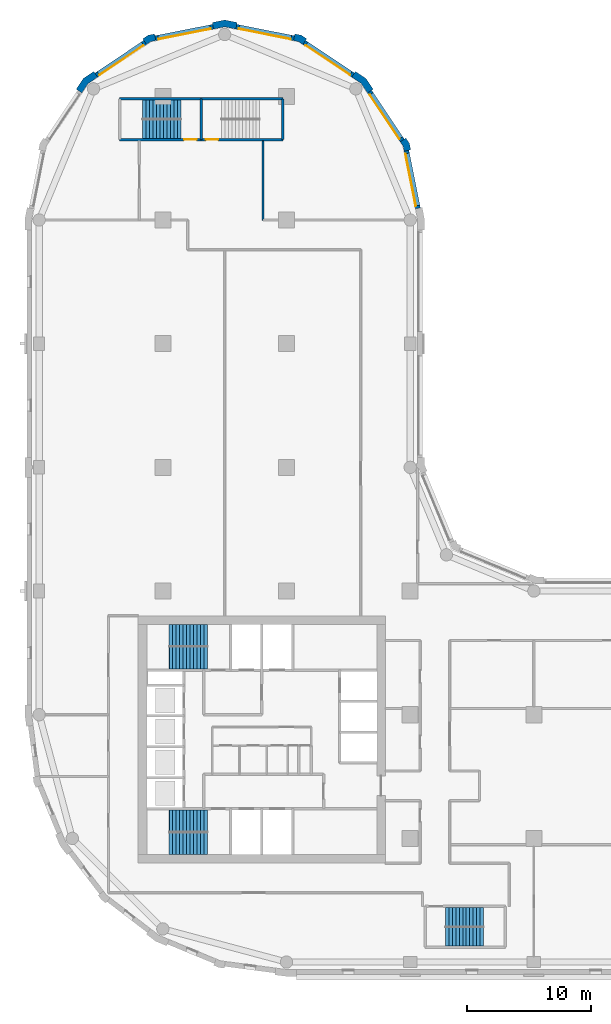
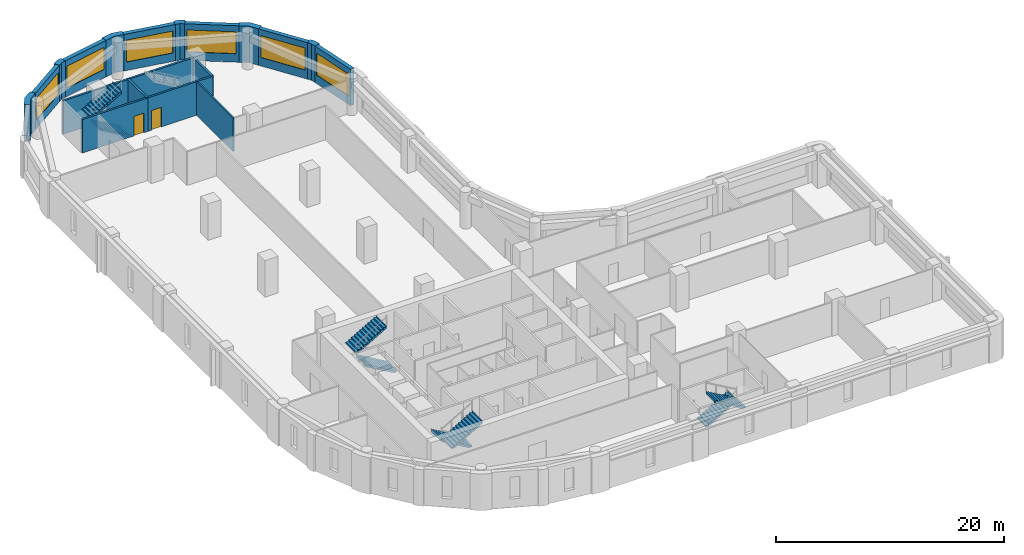
# One storey, part 6 of 9: 19 walls, 8 stair flights, 6 windows, 2 doors, 8 openings, 4 elements without a shape of their own.
"""IFC4 building model written with IfcOpenShell, lengths in metres."""

from ifc_helpers import new_model, si_unit, direction, frame, frame_2d, origin, place, context, subcontext, project, spatial, polyline, rectangle, outline, extrude, material, layer, layer_set, type_object, element, fill, aggregate, save


model = new_model("IFC4")

# Units and contexts
model_context = context("Model", 3, precision=1e-05, world=origin(), true_north=direction((0.0, 1.0)))
body_context = subcontext(model_context, "Body", "Model", "MODEL_VIEW")
ifc_project = project(units=[si_unit("LENGTHUNIT", "METRE"), si_unit("AREAUNIT", "SQUARE_METRE"), si_unit("VOLUMEUNIT", "CUBIC_METRE"), si_unit("PLANEANGLEUNIT", "RADIAN"), si_unit("MASSUNIT", "GRAM", prefix="KILO")], contexts=[model_context])

# Site, building, storey
site_placement = place(None, origin())
site = spatial("IfcSite", under=ifc_project, at=site_placement, CompositionType="ELEMENT")
building_placement = place(site_placement, origin())
building = spatial("IfcBuilding", under=site, at=building_placement, Name="Qaws Garden Tower", CompositionType="ELEMENT")
storey_placement = place(building_placement, frame((0.0, 0.0, 217.5)))
storey = spatial("IfcBuildingStorey", under=building, at=storey_placement, Name="L53", CompositionType="ELEMENT", Elevation=217.5)

# Wall, opening, window
ifc_material_1 = material(Name="Clay facing brick masonry", Category="masonry")
ifc_layer_1 = layer(ifc_material_1, 0.39990234375)
ifc_layer_set_1 = layer_set([ifc_layer_1], Name="Clay facing brick masonry")
wall_type_1 = type_object("IfcWallType", Name="Brick infill wall 400", PredefinedType="SOLIDWALL", material=ifc_layer_set_1)
wall_1_placement = place(storey_placement, frame((30.628662109375, 60.940673828125, 0.0), z_axis=(0.0, 0.0, 1.0), x_axis=(-0.195098533057, 0.98078364709, 0.0)))
wall_1 = element("IfcWall", 1, at=wall_1_placement, inside=storey, type_object=wall_type_1, Name="E-L53-infill-13", PredefinedType="SOLIDWALL", context=body_context, shape_type="SweptSolid", body=[
    extrude(rectangle(XDim=4.752685546875, YDim=0.39990234375, at=frame_2d((2.37646484375, 0.0))), origin(), (0.0, 0.0, 1.0), 3.89990234375),
])
opening_1_placement = place(wall_1_placement, frame((0.226318359375, 0.0, 0.89990234375)))
opening_1 = element("IfcOpeningElement", 2, at=opening_1_placement, cuts=wall_1, Name="Opening W06", PredefinedType="OPENING", context=body_context, shape_type="SweptSolid", body=[
    extrude(rectangle(XDim=4.300048828125, YDim=2.35009765625, at=frame_2d((2.14990234375, 1.175048828125))), frame((0.0, 0.2099609375, 0.0), z_axis=(0.0, -1.0, 0.0), x_axis=(1.0, 0.0, 0.0)), (0.0, 0.0, 1.0), 0.419921875),
])
ifc_material_2 = material(Name="Aluminium framed window, clear glazing", Category="aluminium")
window_type = type_object("IfcWindowType", Name="Ribbon window 4300 x 2350", PartitioningType="DOUBLE_PANEL_VERTICAL", PredefinedType="WINDOW", material=ifc_material_2)
window_1_placement = place(opening_1_placement, origin())
window_1 = element("IfcWindow", 3, at=window_1_placement, inside=storey, type_object=window_type, Name="E-L53-window-13-0", OverallHeight=2.35009765625, OverallWidth=4.300048828125, PartitioningType="SINGLE_PANEL", PredefinedType="WINDOW", context=body_context, shape_type="SweptSolid", body=[
    extrude(rectangle(XDim=4.300048828125, YDim=2.35009765625, at=frame_2d((2.14990234375, 1.175048828125))), frame((0.0, 0.159912109375, 0.0), z_axis=(0.0, -1.0, 0.0), x_axis=(1.0, 0.0, 0.0)), (0.0, 0.0, 1.0), 0.06005859375),
])
fill(opening_1, window_1)

wall_2_placement = place(storey_placement, frame((29.356689453125, 66.43408203125, 0.0), z_axis=(0.0, 0.0, 1.0), x_axis=(-0.555541552266, 0.831488775454, 0.0)))
wall_2 = element("IfcWall", 4, at=wall_2_placement, inside=storey, type_object=wall_type_1, Name="E-L53-infill-14", PredefinedType="SOLIDWALL", context=body_context, shape_type="SweptSolid", body=[
    extrude(rectangle(XDim=4.752685546875, YDim=0.39990234375, at=frame_2d((2.37646484375, 0.0))), origin(), (0.0, 0.0, 1.0), 3.89990234375),
])
opening_2_placement = place(wall_2_placement, frame((0.226318359375, 0.0, 0.89990234375)))
opening_2 = element("IfcOpeningElement", 5, at=opening_2_placement, cuts=wall_2, Name="Opening W06", PredefinedType="OPENING", context=body_context, shape_type="SweptSolid", body=[
    extrude(rectangle(XDim=4.300048828125, YDim=2.35009765625, at=frame_2d((2.14990234375, 1.175048828125))), frame((0.0, 0.2099609375, 0.0), z_axis=(0.0, -1.0, 0.0), x_axis=(1.0, 0.0, 0.0)), (0.0, 0.0, 1.0), 0.419921875),
])
window_2_placement = place(opening_2_placement, origin())
window_2 = element("IfcWindow", 6, at=window_2_placement, inside=storey, type_object=window_type, Name="E-L53-window-14-0", OverallHeight=2.35009765625, OverallWidth=4.300048828125, PartitioningType="SINGLE_PANEL", PredefinedType="WINDOW", context=body_context, shape_type="SweptSolid", body=[
    extrude(rectangle(XDim=4.300048828125, YDim=2.35009765625, at=frame_2d((2.14990234375, 1.175048828125))), frame((0.0, 0.159912109375, 0.0), z_axis=(0.0, -1.0, 0.0), x_axis=(1.0, 0.0, 0.0)), (0.0, 0.0, 1.0), 0.06005859375),
])
fill(opening_2, window_2)

wall_3_placement = place(storey_placement, frame((25.385986328125, 71.71630859375, 0.0), z_axis=(0.0, 0.0, 1.0), x_axis=(-0.831488775454, 0.555541552266, 0.0)))
wall_3 = element("IfcWall", 7, at=wall_3_placement, inside=storey, type_object=wall_type_1, Name="E-L53-infill-15", PredefinedType="SOLIDWALL", context=body_context, shape_type="SweptSolid", body=[
    extrude(rectangle(XDim=4.752685546875, YDim=0.39990234375, at=frame_2d((2.37646484375, 0.0))), origin(), (0.0, 0.0, 1.0), 3.89990234375),
])
opening_3_placement = place(wall_3_placement, frame((0.226318359375, 0.0, 0.89990234375)))
opening_3 = element("IfcOpeningElement", 8, at=opening_3_placement, cuts=wall_3, Name="Opening W06", PredefinedType="OPENING", context=body_context, shape_type="SweptSolid", body=[
    extrude(rectangle(XDim=4.300048828125, YDim=2.35009765625, at=frame_2d((2.14990234375, 1.175048828125))), frame((0.0, 0.2099609375, 0.0), z_axis=(0.0, -1.0, 0.0), x_axis=(1.0, 0.0, 0.0)), (0.0, 0.0, 1.0), 0.419921875),
])
window_3_placement = place(opening_3_placement, origin())
window_3 = element("IfcWindow", 9, at=window_3_placement, inside=storey, type_object=window_type, Name="E-L53-window-15-0", OverallHeight=2.35009765625, OverallWidth=4.300048828125, PartitioningType="SINGLE_PANEL", PredefinedType="WINDOW", context=body_context, shape_type="SweptSolid", body=[
    extrude(rectangle(XDim=4.300048828125, YDim=2.35009765625, at=frame_2d((2.14990234375, 1.175048828125))), frame((0.0, 0.159912109375, 0.0), z_axis=(0.0, -1.0, 0.0), x_axis=(1.0, 0.0, 0.0)), (0.0, 0.0, 1.0), 0.06005859375),
])
fill(opening_3, window_3)

wall_4_placement = place(storey_placement, frame((20.60205078125, 74.701416015625, 0.0), z_axis=(0.0, 0.0, 1.0), x_axis=(-0.98078364709, 0.195098533057, 0.0)))
wall_4 = element("IfcWall", 10, at=wall_4_placement, inside=storey, type_object=wall_type_1, Name="E-L53-infill-16", PredefinedType="SOLIDWALL", context=body_context, shape_type="SweptSolid", body=[
    extrude(rectangle(XDim=4.752685546875, YDim=0.39990234375, at=frame_2d((2.37646484375, 0.0))), origin(), (0.0, 0.0, 1.0), 3.89990234375),
])
opening_4_placement = place(wall_4_placement, frame((0.226318359375, 0.0, 0.89990234375)))
opening_4 = element("IfcOpeningElement", 11, at=opening_4_placement, cuts=wall_4, Name="Opening W06", PredefinedType="OPENING", context=body_context, shape_type="SweptSolid", body=[
    extrude(rectangle(XDim=4.300048828125, YDim=2.35009765625, at=frame_2d((2.14990234375, 1.175048828125))), frame((0.0, 0.2099609375, 0.0), z_axis=(0.0, -1.0, 0.0), x_axis=(1.0, 0.0, 0.0)), (0.0, 0.0, 1.0), 0.419921875),
])
window_4_placement = place(opening_4_placement, origin())
window_4 = element("IfcWindow", 12, at=window_4_placement, inside=storey, type_object=window_type, Name="E-L53-window-16-0", OverallHeight=2.35009765625, OverallWidth=4.300048828125, PartitioningType="SINGLE_PANEL", PredefinedType="WINDOW", context=body_context, shape_type="SweptSolid", body=[
    extrude(rectangle(XDim=4.300048828125, YDim=2.35009765625, at=frame_2d((2.14990234375, 1.175048828125))), frame((0.0, 0.159912109375, 0.0), z_axis=(0.0, -1.0, 0.0), x_axis=(1.0, 0.0, 0.0)), (0.0, 0.0, 1.0), 0.06005859375),
])
fill(opening_4, window_4)

wall_5_placement = place(storey_placement, frame((14.059326171875, 75.628662109375, 0.0), z_axis=(0.0, 0.0, 1.0), x_axis=(-0.98078364709, -0.195098533057, 0.0)))
wall_5 = element("IfcWall", 13, at=wall_5_placement, inside=storey, type_object=wall_type_1, Name="E-L53-infill-17", PredefinedType="SOLIDWALL", context=body_context, shape_type="SweptSolid", body=[
    extrude(rectangle(XDim=4.752685546875, YDim=0.39990234375, at=frame_2d((2.37646484375, 0.0))), origin(), (0.0, 0.0, 1.0), 3.89990234375),
])
opening_5_placement = place(wall_5_placement, frame((0.226318359375, 0.0, 0.89990234375)))
opening_5 = element("IfcOpeningElement", 14, at=opening_5_placement, cuts=wall_5, Name="Opening W06", PredefinedType="OPENING", context=body_context, shape_type="SweptSolid", body=[
    extrude(rectangle(XDim=4.300048828125, YDim=2.35009765625, at=frame_2d((2.14990234375, 1.175048828125))), frame((0.0, 0.2099609375, 0.0), z_axis=(0.0, -1.0, 0.0), x_axis=(1.0, 0.0, 0.0)), (0.0, 0.0, 1.0), 0.419921875),
])
window_5_placement = place(opening_5_placement, origin())
window_5 = element("IfcWindow", 15, at=window_5_placement, inside=storey, type_object=window_type, Name="E-L53-window-17-0", OverallHeight=2.35009765625, OverallWidth=4.300048828125, PartitioningType="SINGLE_PANEL", PredefinedType="WINDOW", context=body_context, shape_type="SweptSolid", body=[
    extrude(rectangle(XDim=4.300048828125, YDim=2.35009765625, at=frame_2d((2.14990234375, 1.175048828125))), frame((0.0, 0.159912109375, 0.0), z_axis=(0.0, -1.0, 0.0), x_axis=(1.0, 0.0, 0.0)), (0.0, 0.0, 1.0), 0.06005859375),
])
fill(opening_5, window_5)

wall_6_placement = place(storey_placement, frame((8.56591796875, 74.356689453125, 0.0), z_axis=(0.0, 0.0, 1.0), x_axis=(-0.831488775454, -0.555541552266, 0.0)))
wall_6 = element("IfcWall", 16, at=wall_6_placement, inside=storey, type_object=wall_type_1, Name="E-L53-infill-18", PredefinedType="SOLIDWALL", context=body_context, shape_type="SweptSolid", body=[
    extrude(rectangle(XDim=4.752685546875, YDim=0.39990234375, at=frame_2d((2.37646484375, 0.0))), origin(), (0.0, 0.0, 1.0), 3.89990234375),
])
opening_6_placement = place(wall_6_placement, frame((0.226318359375, 0.0, 0.89990234375)))
opening_6 = element("IfcOpeningElement", 17, at=opening_6_placement, cuts=wall_6, Name="Opening W06", PredefinedType="OPENING", context=body_context, shape_type="SweptSolid", body=[
    extrude(rectangle(XDim=4.300048828125, YDim=2.35009765625, at=frame_2d((2.14990234375, 1.175048828125))), frame((0.0, 0.2099609375, 0.0), z_axis=(0.0, -1.0, 0.0), x_axis=(1.0, 0.0, 0.0)), (0.0, 0.0, 1.0), 0.419921875),
])
window_6_placement = place(opening_6_placement, origin())
window_6 = element("IfcWindow", 18, at=window_6_placement, inside=storey, type_object=window_type, Name="E-L53-window-18-0", OverallHeight=2.35009765625, OverallWidth=4.300048828125, PartitioningType="SINGLE_PANEL", PredefinedType="WINDOW", context=body_context, shape_type="SweptSolid", body=[
    extrude(rectangle(XDim=4.300048828125, YDim=2.35009765625, at=frame_2d((2.14990234375, 1.175048828125))), frame((0.0, 0.159912109375, 0.0), z_axis=(0.0, -1.0, 0.0), x_axis=(1.0, 0.0, 0.0)), (0.0, 0.0, 1.0), 0.06005859375),
])
fill(opening_6, window_6)

# Walls
ifc_material_3 = material(Name="Clay facing brick masonry", Category="masonry")
ifc_layer_2 = layer(ifc_material_3, 0.550048828125)
ifc_layer_set_2 = layer_set([ifc_layer_2], Name="Clay facing brick masonry")
wall_type_2 = type_object("IfcWallType", Name="Brick kink pier 550 x 600", PredefinedType="SOLIDWALL", material=ifc_layer_set_2)
placement = place(storey_placement, origin())
element("IfcWall", 19, at=placement, inside=storey, type_object=wall_type_2, Name="E-L53-pier-14", PredefinedType="SOLIDWALL", context=body_context, shape_type="SweptSolid", body=[
    extrude(outline(polyline([(29.8974609375, 65.64111328125), (30.044677734375, 65.67041015625), (29.94140625, 66.18896484375), (29.647705078125, 66.628662109375), (29.52294921875, 66.545166015625), (29.1904296875, 66.322998046875), (29.42333984375, 65.974365234375), (29.505126953125, 65.56298828125), (29.8974609375, 65.64111328125)])), origin(), (0.0, 0.0, 1.0), 3.89990234375),
])
element("IfcWall", 20, at=placement, inside=storey, type_object=wall_type_2, Name="E-L53-pier-16", PredefinedType="SOLIDWALL", context=body_context, shape_type="SweptSolid", body=[
    extrude(outline(polyline([(21.545166015625, 74.52294921875), (21.628662109375, 74.647705078125), (21.18896484375, 74.94140625), (20.67041015625, 75.044677734375), (20.64111328125, 74.8974609375), (20.56298828125, 74.505126953125), (20.974365234375, 74.42333984375), (21.322998046875, 74.1904296875), (21.545166015625, 74.52294921875)])), origin(), (0.0, 0.0, 1.0), 3.89990234375),
])
element("IfcWall", 21, at=placement, inside=storey, type_object=wall_type_2, Name="E-L53-pier-18", PredefinedType="SOLIDWALL", context=body_context, shape_type="SweptSolid", body=[
    extrude(outline(polyline([(9.35888671875, 74.8974609375), (9.32958984375, 75.044677734375), (8.81103515625, 74.94140625), (8.371337890625, 74.647705078125), (8.454833984375, 74.52294921875), (8.677001953125, 74.1904296875), (9.025634765625, 74.42333984375), (9.43701171875, 74.505126953125), (9.35888671875, 74.8974609375)])), origin(), (0.0, 0.0, 1.0), 3.89990234375),
])
ifc_material_4 = material(Name="Clay facing brick masonry", Category="masonry")
ifc_layer_3 = layer(ifc_material_4, 0.550048828125)
ifc_layer_set_3 = layer_set([ifc_layer_3], Name="Clay facing brick masonry")
wall_type_3 = type_object("IfcWallType", Name="Brick pier 550 x 1600", PredefinedType="SOLIDWALL", material=ifc_layer_set_3)
element("IfcWall", 22, at=placement, inside=storey, type_object=wall_type_3, Name="E-L53-pier-15", PredefinedType="SOLIDWALL", context=body_context, shape_type="SweptSolid", body=[
    extrude(outline(polyline([(26.882568359375, 70.4970703125), (27.00732421875, 70.580322265625), (26.435791015625, 71.435791015625), (25.580322265625, 72.00732421875), (25.4970703125, 71.882568359375), (25.274658203125, 71.550048828125), (26.0390625, 71.0390625), (26.550048828125, 70.274658203125), (26.882568359375, 70.4970703125)])), origin(), (0.0, 0.0, 1.0), 3.89990234375),
])
element("IfcWall", 23, at=placement, inside=storey, type_object=wall_type_3, Name="E-L53-pier-17", PredefinedType="SOLIDWALL", context=body_context, shape_type="SweptSolid", body=[
    extrude(outline(polyline([(15.979736328125, 75.82470703125), (16.009033203125, 75.971923828125), (15.0, 76.172607421875), (13.990966796875, 75.971923828125), (14.020263671875, 75.82470703125), (14.098388671875, 75.432373046875), (15.0, 75.61181640625), (15.901611328125, 75.432373046875), (15.979736328125, 75.82470703125)])), origin(), (0.0, 0.0, 1.0), 3.89990234375),
])
element("IfcWall", 24, at=placement, inside=storey, type_object=wall_type_3, Name="E-L53-pier-19", PredefinedType="SOLIDWALL", context=body_context, shape_type="SweptSolid", body=[
    extrude(outline(polyline([(4.5029296875, 71.882568359375), (4.419677734375, 72.00732421875), (3.564208984375, 71.435791015625), (2.99267578125, 70.580322265625), (3.117431640625, 70.4970703125), (3.449951171875, 70.274658203125), (3.9609375, 71.0390625), (4.725341796875, 71.550048828125), (4.5029296875, 71.882568359375)])), origin(), (0.0, 0.0, 1.0), 3.89990234375),
])

# Wall, opening, door
ifc_material_5 = material(Name="Concrete C70", Category="concrete")
ifc_layer_4 = layer(ifc_material_5, 0.199951171875)
ifc_layer_set_4 = layer_set([ifc_layer_4], Name="Concrete C70")
wall_type_4 = type_object("IfcWallType", Name="Core shaft wall 200 C70", PredefinedType="SHEAR", material=ifc_layer_set_4)
wall_13_placement = place(storey_placement, frame((6.5, 66.5, 0.0), z_axis=(0.0, 0.0, 1.0), x_axis=(1.0, 0.0, 0.0)))
wall_13 = element("IfcWall", 25, at=wall_13_placement, inside=storey, type_object=wall_type_4, Name="Shaft wall", PredefinedType="SHEAR", context=body_context, shape_type="SweptSolid", body=[
    extrude(rectangle(XDim=6.60009765625, YDim=0.199951171875, at=frame_2d((3.300048828125, 0.0))), origin(), (0.0, 0.0, 1.0), 3.580078125),
])
opening_7_placement = place(wall_13_placement, frame((5.22509765625, 0.0, 0.0)))
opening_7 = element("IfcOpeningElement", 26, at=opening_7_placement, cuts=wall_13, Name="Opening SD13", PredefinedType="OPENING", context=body_context, shape_type="SweptSolid", body=[
    extrude(rectangle(XDim=1.0, YDim=2.10009765625, at=frame_2d((0.5, 1.050048828125))), frame((0.0, 0.10986328125, 0.0), z_axis=(0.0, -1.0, 0.0), x_axis=(1.0, 0.0, 0.0)), (0.0, 0.0, 1.0), 0.219970703125),
])
ifc_material_6 = material(Name="Steel S235", Category="steel")
door_type = type_object("IfcDoorType", Name="Stair door 1000x2100", OperationType="SINGLE_SWING_RIGHT", PredefinedType="DOOR", material=ifc_material_6)
door_1_placement = place(opening_7_placement, origin())
door_1 = element("IfcDoor", 27, at=door_1_placement, inside=storey, type_object=door_type, Name="Stair 6 door", OperationType="SINGLE_SWING_RIGHT", OverallHeight=2.10009765625, OverallWidth=1.0, PredefinedType="DOOR", context=body_context, shape_type="SweptSolid", body=[
    extrude(rectangle(XDim=1.0, YDim=2.10009765625, at=frame_2d((0.5, 1.050048828125))), frame((0.0, 0.02490234375, 0.0), z_axis=(0.0, -1.0, 0.0), x_axis=(1.0, 0.0, 0.0)), (0.0, 0.0, 1.0), 0.050048828125),
])
fill(opening_7, door_1)

wall_14_placement = place(storey_placement, frame((13.10009765625, 66.5, 0.0), z_axis=(0.0, 0.0, 1.0), x_axis=(1.0, 0.0, 0.0)))
wall_14 = element("IfcWall", 28, at=wall_14_placement, inside=storey, type_object=wall_type_4, Name="Shaft wall", PredefinedType="SHEAR", context=body_context, shape_type="SweptSolid", body=[
    extrude(rectangle(XDim=6.599853515625, YDim=0.199951171875, at=frame_2d((3.2998046875, 0.0))), origin(), (0.0, 0.0, 1.0), 3.580078125),
])
opening_8_placement = place(wall_14_placement, frame((0.375, 0.0, 0.0)))
opening_8 = element("IfcOpeningElement", 29, at=opening_8_placement, cuts=wall_14, Name="Opening SD14", PredefinedType="OPENING", context=body_context, shape_type="SweptSolid", body=[
    extrude(rectangle(XDim=1.0, YDim=2.10009765625, at=frame_2d((0.5, 1.050048828125))), frame((0.0, 0.10986328125, 0.0), z_axis=(0.0, -1.0, 0.0), x_axis=(1.0, 0.0, 0.0)), (0.0, 0.0, 1.0), 0.219970703125),
])
door_2_placement = place(opening_8_placement, origin())
door_2 = element("IfcDoor", 30, at=door_2_placement, inside=storey, type_object=door_type, Name="Stair 7 door", OperationType="SINGLE_SWING_LEFT", OverallHeight=2.10009765625, OverallWidth=1.0, PredefinedType="DOOR", context=body_context, shape_type="SweptSolid", body=[
    extrude(rectangle(XDim=1.0, YDim=2.10009765625, at=frame_2d((0.5, 1.050048828125))), frame((0.0, 0.02490234375, 0.0), z_axis=(0.0, -1.0, 0.0), x_axis=(1.0, 0.0, 0.0)), (0.0, 0.0, 1.0), 0.050048828125),
])
fill(opening_8, door_2)

# Walls
wall_15_placement = place(storey_placement, frame((6.5, 69.800048828125, 0.0), z_axis=(0.0, 0.0, 1.0), x_axis=(1.0, 0.0, 0.0)))
element("IfcWall", 31, at=wall_15_placement, inside=storey, type_object=wall_type_4, Name="Shaft wall", PredefinedType="SHEAR", context=body_context, shape_type="SweptSolid", body=[
    extrude(rectangle(XDim=6.60009765625, YDim=0.199951171875, at=frame_2d((3.300048828125, 0.0))), origin(), (0.0, 0.0, 1.0), 3.580078125),
])
wall_16_placement = place(storey_placement, frame((13.10009765625, 69.800048828125, 0.0), z_axis=(0.0, 0.0, 1.0), x_axis=(1.0, 0.0, 0.0)))
element("IfcWall", 32, at=wall_16_placement, inside=storey, type_object=wall_type_4, Name="Shaft wall", PredefinedType="SHEAR", context=body_context, shape_type="SweptSolid", body=[
    extrude(rectangle(XDim=6.599853515625, YDim=0.199951171875, at=frame_2d((3.2998046875, 0.0))), origin(), (0.0, 0.0, 1.0), 3.580078125),
])
for number, where, z_axis, x_axis, name in (
    (33, (13.10009765625, 66.5, 0.0), (0.0, 0.0, 1.0), (0.0, 1.0, 0.0), "Shaft wall"),
    (34, (19.699951171875, 66.5, 0.0), (0.0, 0.0, 1.0), (0.0, 1.0, 0.0), "Shaft wall"),
):
    element("IfcWall", number, at=place(storey_placement, frame(where, z_axis=z_axis, x_axis=x_axis)), inside=storey, type_object=wall_type_4, Name=name, PredefinedType="SHEAR", context=body_context, shape_type="SweptSolid", body=[
        extrude(rectangle(XDim=3.300048828125, YDim=0.199951171875, at=frame_2d((1.64990234375, 0.0))), origin(), (0.0, 0.0, 1.0), 3.580078125),
    ])
ifc_material_7 = material(Name="Gypsum board partition")
ifc_layer_5 = layer(ifc_material_7, 0.14990234375)
ifc_layer_set_5 = layer_set([ifc_layer_5], Name="Gypsum board partition")
wall_type_5 = type_object("IfcWallType", Name="PARTITION 150 EI 60", PredefinedType="PARTITIONING", material=ifc_layer_set_5)
wall_17_placement = place(storey_placement, frame((18.10009765625, 60.0, 0.0), z_axis=(0.0, 0.0, 1.0), x_axis=(0.0, 1.0, 0.0)))
element("IfcWall", 35, at=wall_17_placement, inside=storey, type_object=wall_type_5, Name="O-L53-wall-007", PredefinedType="PARTITIONING", context=body_context, shape_type="SweptSolid", body=[
    extrude(rectangle(XDim=6.39990234375, YDim=0.14990234375, at=frame_2d((3.199951171875, 0.0))), origin(), (0.0, 0.0, 1.0), 3.580078125),
])

# Stair, stair flights
ifc_material_8 = material(Name="Concrete C40", Category="concrete")
stair_type_1 = type_object("IfcStairType", Name="Exit stair 1350", PredefinedType="HALF_TURN_STAIR", material=ifc_material_8)
stair_1 = element("IfcStair", 36, at=placement, inside=storey, type_object=stair_type_1, Name="Stair 5", PredefinedType="HALF_TURN_STAIR")
ifc_material_9 = material(Name="Concrete C40", Category="concrete")
stair_flight_type_1 = type_object("IfcStairFlightType", Name="Stair flight 1350", PredefinedType="STRAIGHT", material=ifc_material_9)
stair_flight_1_placement = place(storey_placement, frame((32.85009765625, 3.625, 0.0), z_axis=(0.0, 0.0, 1.0), x_axis=(1.0, 0.0, 0.0)))
stair_flight_1 = element("IfcStairFlight", 37, at=stair_flight_1_placement, type_object=stair_flight_type_1, Name="ST5 flight 1", NumberOfRisers=12, NumberOfTreads=11, PredefinedType="STRAIGHT", RiserHeight=0.1625, TreadLength=0.28, context=body_context, shape_type="SweptSolid", body=[
    extrude(outline(polyline([(-0.0029296875, 0.0), (-0.0029296875, 0.16259765625), (0.0, 0.16259765625), (0.280029296875, 0.16259765625), (0.280029296875, 0.324951171875), (0.56005859375, 0.324951171875), (0.56005859375, 0.487548828125), (0.840087890625, 0.487548828125), (0.840087890625, 0.64990234375), (1.1201171875, 0.64990234375), (1.1201171875, 0.8125), (1.39990234375, 0.8125), (1.39990234375, 0.97509765625), (1.679931640625, 0.97509765625), (1.679931640625, 1.137451171875), (1.9599609375, 1.137451171875), (1.9599609375, 1.300048828125), (2.239990234375, 1.300048828125), (2.239990234375, 1.46240234375), (2.52001953125, 1.46240234375), (2.52001953125, 1.625), (2.800048828125, 1.625), (2.800048828125, 1.78759765625), (3.080078125, 1.78759765625), (3.080078125, 1.949951171875), (3.0830078125, 1.949951171875), (3.0830078125, 1.6142578125), (3.080078125, 1.6142578125), (0.298583984375, 0.0), (-0.0029296875, 0.0)])), frame((0.0, 0.77490234375, 0.0), z_axis=(0.0, -1.0, 0.0), x_axis=(1.0, 0.0, 0.0)), (0.0, 0.0, 1.0), 1.550048828125),
])
stair_flight_2_placement = place(storey_placement, frame((35.929931640625, 2.074951171875, 1.949951171875), z_axis=(0.0, 0.0, 1.0), x_axis=(-1.0, 0.0, 0.0)))
stair_flight_2 = element("IfcStairFlight", 38, at=stair_flight_2_placement, type_object=stair_flight_type_1, Name="ST5 flight 2", NumberOfRisers=12, NumberOfTreads=11, PredefinedType="STRAIGHT", RiserHeight=0.1625, TreadLength=0.28, context=body_context, shape_type="SweptSolid", body=[
    extrude(outline(polyline([(-0.0029296875, 0.0), (-0.0029296875, 0.16259765625), (0.0, 0.16259765625), (0.280029296875, 0.16259765625), (0.280029296875, 0.324951171875), (0.56005859375, 0.324951171875), (0.56005859375, 0.487548828125), (0.840087890625, 0.487548828125), (0.840087890625, 0.64990234375), (1.1201171875, 0.64990234375), (1.1201171875, 0.8125), (1.39990234375, 0.8125), (1.39990234375, 0.97509765625), (1.679931640625, 0.97509765625), (1.679931640625, 1.137451171875), (1.9599609375, 1.137451171875), (1.9599609375, 1.300048828125), (2.239990234375, 1.300048828125), (2.239990234375, 1.46240234375), (2.52001953125, 1.46240234375), (2.52001953125, 1.625), (2.800048828125, 1.625), (2.800048828125, 1.78759765625), (3.080078125, 1.78759765625), (3.080078125, 1.949951171875), (3.0830078125, 1.949951171875), (3.0830078125, 1.6142578125), (3.080078125, 1.6142578125), (0.298583984375, 0.0), (-0.0029296875, 0.0)])), frame((0.0, 0.77490234375, 0.0), z_axis=(0.0, -1.0, 0.0), x_axis=(1.0, 0.0, 0.0)), (0.0, 0.0, 1.0), 1.550048828125),
])
aggregate(stair_1, [stair_flight_1, stair_flight_2])

stair_2 = element("IfcStair", 39, at=placement, inside=storey, type_object=stair_type_1, Name="Stair 6", PredefinedType="HALF_TURN_STAIR")
stair_flight_3_placement = place(storey_placement, frame((11.449951171875, 67.375, 0.0), z_axis=(0.0, 0.0, 1.0), x_axis=(-1.0, 0.0, 0.0)))
stair_flight_3 = element("IfcStairFlight", 40, at=stair_flight_3_placement, type_object=stair_flight_type_1, Name="ST6 flight 1", NumberOfRisers=12, NumberOfTreads=11, PredefinedType="STRAIGHT", RiserHeight=0.1625, TreadLength=0.28, context=body_context, shape_type="SweptSolid", body=[
    extrude(outline(polyline([(-0.0029296875, 0.0), (-0.0029296875, 0.16259765625), (0.0, 0.16259765625), (0.280029296875, 0.16259765625), (0.280029296875, 0.324951171875), (0.56005859375, 0.324951171875), (0.56005859375, 0.487548828125), (0.840087890625, 0.487548828125), (0.840087890625, 0.64990234375), (1.1201171875, 0.64990234375), (1.1201171875, 0.8125), (1.39990234375, 0.8125), (1.39990234375, 0.97509765625), (1.679931640625, 0.97509765625), (1.679931640625, 1.137451171875), (1.9599609375, 1.137451171875), (1.9599609375, 1.300048828125), (2.239990234375, 1.300048828125), (2.239990234375, 1.46240234375), (2.52001953125, 1.46240234375), (2.52001953125, 1.625), (2.800048828125, 1.625), (2.800048828125, 1.78759765625), (3.080078125, 1.78759765625), (3.080078125, 1.949951171875), (3.0830078125, 1.949951171875), (3.0830078125, 1.6142578125), (3.080078125, 1.6142578125), (0.298583984375, 0.0), (-0.0029296875, 0.0)])), frame((0.0, 0.77490234375, 0.0), z_axis=(0.0, -1.0, 0.0), x_axis=(1.0, 0.0, 0.0)), (0.0, 0.0, 1.0), 1.550048828125),
])
stair_flight_4_placement = place(storey_placement, frame((8.3701171875, 68.925048828125, 1.949951171875), z_axis=(0.0, 0.0, 1.0), x_axis=(1.0, 0.0, 0.0)))
stair_flight_4 = element("IfcStairFlight", 41, at=stair_flight_4_placement, type_object=stair_flight_type_1, Name="ST6 flight 2", NumberOfRisers=12, NumberOfTreads=11, PredefinedType="STRAIGHT", RiserHeight=0.1625, TreadLength=0.28, context=body_context, shape_type="SweptSolid", body=[
    extrude(outline(polyline([(-0.0029296875, 0.0), (-0.0029296875, 0.16259765625), (0.0, 0.16259765625), (0.280029296875, 0.16259765625), (0.280029296875, 0.324951171875), (0.56005859375, 0.324951171875), (0.56005859375, 0.487548828125), (0.840087890625, 0.487548828125), (0.840087890625, 0.64990234375), (1.1201171875, 0.64990234375), (1.1201171875, 0.8125), (1.39990234375, 0.8125), (1.39990234375, 0.97509765625), (1.679931640625, 0.97509765625), (1.679931640625, 1.137451171875), (1.9599609375, 1.137451171875), (1.9599609375, 1.300048828125), (2.239990234375, 1.300048828125), (2.239990234375, 1.46240234375), (2.52001953125, 1.46240234375), (2.52001953125, 1.625), (2.800048828125, 1.625), (2.800048828125, 1.78759765625), (3.080078125, 1.78759765625), (3.080078125, 1.949951171875), (3.0830078125, 1.949951171875), (3.0830078125, 1.6142578125), (3.080078125, 1.6142578125), (0.298583984375, 0.0), (-0.0029296875, 0.0)])), frame((0.0, 0.77490234375, 0.0), z_axis=(0.0, -1.0, 0.0), x_axis=(1.0, 0.0, 0.0)), (0.0, 0.0, 1.0), 1.550048828125),
])
aggregate(stair_2, [stair_flight_3, stair_flight_4])

ifc_material_10 = material(Name="Concrete C40", Category="concrete")
stair_type_2 = type_object("IfcStairType", Name="Exit stair 1500", PredefinedType="HALF_TURN_STAIR", material=ifc_material_10)
stair_3 = element("IfcStair", 42, at=placement, inside=storey, type_object=stair_type_2, Name="Stair 1", PredefinedType="HALF_TURN_STAIR")
ifc_material_11 = material(Name="Concrete C40", Category="concrete")
stair_flight_type_2 = type_object("IfcStairFlightType", Name="Stair flight 1500", PredefinedType="STRAIGHT", material=ifc_material_11)
stair_flight_5_placement = place(storey_placement, frame((13.60009765625, 11.39990234375, 0.0), z_axis=(0.0, 0.0, 1.0), x_axis=(-1.0, 0.0, 0.0)))
stair_flight_5 = element("IfcStairFlight", 43, at=stair_flight_5_placement, type_object=stair_flight_type_2, Name="ST1 flight 1", NumberOfRisers=12, NumberOfTreads=11, PredefinedType="STRAIGHT", RiserHeight=0.1625, TreadLength=0.28, context=body_context, shape_type="SweptSolid", body=[
    extrude(outline(polyline([(-0.0029296875, 0.0), (-0.0029296875, 0.16259765625), (0.0, 0.16259765625), (0.280029296875, 0.16259765625), (0.280029296875, 0.324951171875), (0.56005859375, 0.324951171875), (0.56005859375, 0.487548828125), (0.840087890625, 0.487548828125), (0.840087890625, 0.64990234375), (1.1201171875, 0.64990234375), (1.1201171875, 0.8125), (1.39990234375, 0.8125), (1.39990234375, 0.97509765625), (1.679931640625, 0.97509765625), (1.679931640625, 1.137451171875), (1.9599609375, 1.137451171875), (1.9599609375, 1.300048828125), (2.239990234375, 1.300048828125), (2.239990234375, 1.46240234375), (2.52001953125, 1.46240234375), (2.52001953125, 1.625), (2.800048828125, 1.625), (2.800048828125, 1.78759765625), (3.080078125, 1.78759765625), (3.080078125, 1.949951171875), (3.0830078125, 1.949951171875), (3.0830078125, 1.6142578125), (3.080078125, 1.6142578125), (0.298583984375, 0.0), (-0.0029296875, 0.0)])), frame((0.0, 0.89990234375, 0.0), z_axis=(0.0, -1.0, 0.0), x_axis=(1.0, 0.0, 0.0)), (0.0, 0.0, 1.0), 1.800048828125),
])
stair_flight_6_placement = place(storey_placement, frame((10.52001953125, 9.60009765625, 1.949951171875), z_axis=(0.0, 0.0, 1.0), x_axis=(1.0, 0.0, 0.0)))
stair_flight_6 = element("IfcStairFlight", 44, at=stair_flight_6_placement, type_object=stair_flight_type_2, Name="ST1 flight 2", NumberOfRisers=12, NumberOfTreads=11, PredefinedType="STRAIGHT", RiserHeight=0.1625, TreadLength=0.28, context=body_context, shape_type="SweptSolid", body=[
    extrude(outline(polyline([(-0.0029296875, 0.0), (-0.0029296875, 0.16259765625), (0.0, 0.16259765625), (0.280029296875, 0.16259765625), (0.280029296875, 0.324951171875), (0.56005859375, 0.324951171875), (0.56005859375, 0.487548828125), (0.840087890625, 0.487548828125), (0.840087890625, 0.64990234375), (1.1201171875, 0.64990234375), (1.1201171875, 0.8125), (1.39990234375, 0.8125), (1.39990234375, 0.97509765625), (1.679931640625, 0.97509765625), (1.679931640625, 1.137451171875), (1.9599609375, 1.137451171875), (1.9599609375, 1.300048828125), (2.239990234375, 1.300048828125), (2.239990234375, 1.46240234375), (2.52001953125, 1.46240234375), (2.52001953125, 1.625), (2.800048828125, 1.625), (2.800048828125, 1.78759765625), (3.080078125, 1.78759765625), (3.080078125, 1.949951171875), (3.0830078125, 1.949951171875), (3.0830078125, 1.6142578125), (3.080078125, 1.6142578125), (0.298583984375, 0.0), (-0.0029296875, 0.0)])), frame((0.0, 0.89990234375, 0.0), z_axis=(0.0, -1.0, 0.0), x_axis=(1.0, 0.0, 0.0)), (0.0, 0.0, 1.0), 1.800048828125),
])
aggregate(stair_3, [stair_flight_5, stair_flight_6])

stair_4 = element("IfcStair", 45, at=placement, inside=storey, type_object=stair_type_2, Name="Stair 4", PredefinedType="HALF_TURN_STAIR")
stair_flight_7_placement = place(storey_placement, frame((13.60009765625, 24.60009765625, 0.0), z_axis=(0.0, 0.0, 1.0), x_axis=(-1.0, 0.0, 0.0)))
stair_flight_7 = element("IfcStairFlight", 46, at=stair_flight_7_placement, type_object=stair_flight_type_2, Name="ST4 flight 1", NumberOfRisers=12, NumberOfTreads=11, PredefinedType="STRAIGHT", RiserHeight=0.1625, TreadLength=0.28, context=body_context, shape_type="SweptSolid", body=[
    extrude(outline(polyline([(-0.0029296875, 0.0), (-0.0029296875, 0.16259765625), (0.0, 0.16259765625), (0.280029296875, 0.16259765625), (0.280029296875, 0.324951171875), (0.56005859375, 0.324951171875), (0.56005859375, 0.487548828125), (0.840087890625, 0.487548828125), (0.840087890625, 0.64990234375), (1.1201171875, 0.64990234375), (1.1201171875, 0.8125), (1.39990234375, 0.8125), (1.39990234375, 0.97509765625), (1.679931640625, 0.97509765625), (1.679931640625, 1.137451171875), (1.9599609375, 1.137451171875), (1.9599609375, 1.300048828125), (2.239990234375, 1.300048828125), (2.239990234375, 1.46240234375), (2.52001953125, 1.46240234375), (2.52001953125, 1.625), (2.800048828125, 1.625), (2.800048828125, 1.78759765625), (3.080078125, 1.78759765625), (3.080078125, 1.949951171875), (3.0830078125, 1.949951171875), (3.0830078125, 1.6142578125), (3.080078125, 1.6142578125), (0.298583984375, 0.0), (-0.0029296875, 0.0)])), frame((0.0, 0.89501953125, 0.0), z_axis=(0.0, -1.0, 0.0), x_axis=(1.0, 0.0, 0.0)), (0.0, 0.0, 1.0), 1.7900390625),
])
stair_flight_8_placement = place(storey_placement, frame((10.52001953125, 26.39990234375, 1.949951171875), z_axis=(0.0, 0.0, 1.0), x_axis=(1.0, 0.0, 0.0)))
stair_flight_8 = element("IfcStairFlight", 47, at=stair_flight_8_placement, type_object=stair_flight_type_2, Name="ST4 flight 2", NumberOfRisers=12, NumberOfTreads=11, PredefinedType="STRAIGHT", RiserHeight=0.1625, TreadLength=0.28, context=body_context, shape_type="SweptSolid", body=[
    extrude(outline(polyline([(-0.0029296875, 0.0), (-0.0029296875, 0.16259765625), (0.0, 0.16259765625), (0.280029296875, 0.16259765625), (0.280029296875, 0.324951171875), (0.56005859375, 0.324951171875), (0.56005859375, 0.487548828125), (0.840087890625, 0.487548828125), (0.840087890625, 0.64990234375), (1.1201171875, 0.64990234375), (1.1201171875, 0.8125), (1.39990234375, 0.8125), (1.39990234375, 0.97509765625), (1.679931640625, 0.97509765625), (1.679931640625, 1.137451171875), (1.9599609375, 1.137451171875), (1.9599609375, 1.300048828125), (2.239990234375, 1.300048828125), (2.239990234375, 1.46240234375), (2.52001953125, 1.46240234375), (2.52001953125, 1.625), (2.800048828125, 1.625), (2.800048828125, 1.78759765625), (3.080078125, 1.78759765625), (3.080078125, 1.949951171875), (3.0830078125, 1.949951171875), (3.0830078125, 1.6142578125), (3.080078125, 1.6142578125), (0.298583984375, 0.0), (-0.0029296875, 0.0)])), frame((0.0, 0.89501953125, 0.0), z_axis=(0.0, -1.0, 0.0), x_axis=(1.0, 0.0, 0.0)), (0.0, 0.0, 1.0), 1.7900390625),
])
aggregate(stair_4, [stair_flight_7, stair_flight_8])

save(model, "model.ifc")
